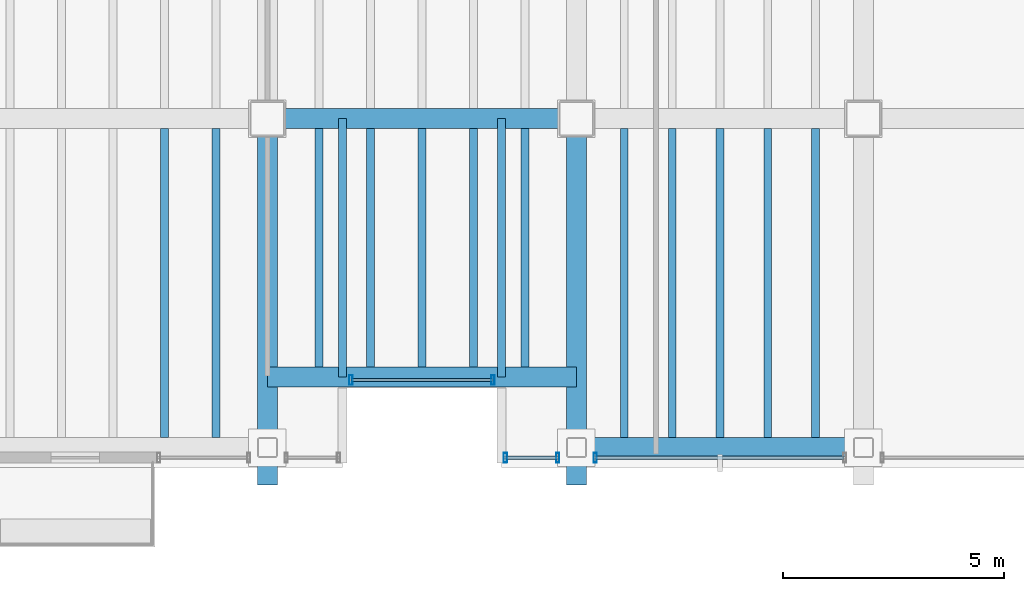
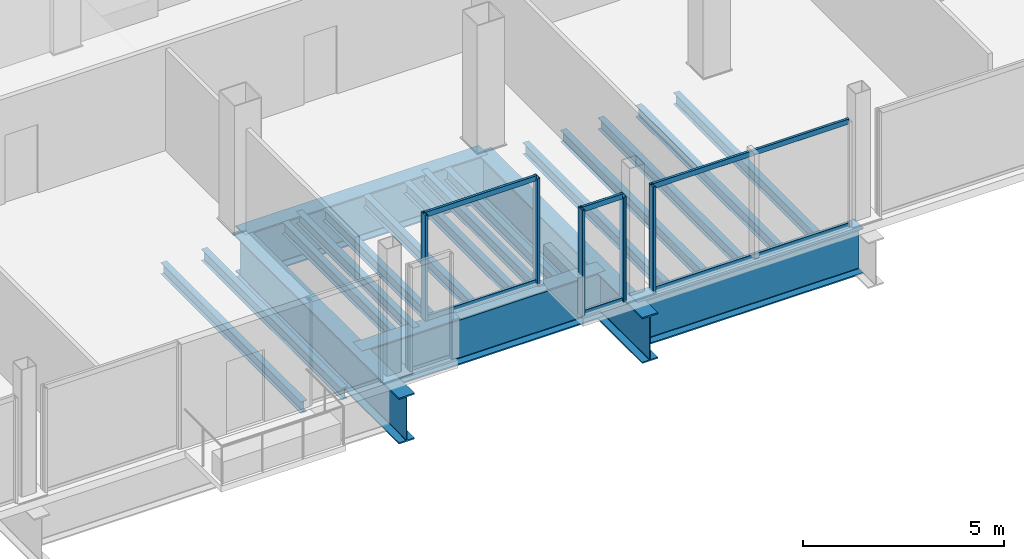
# One storey, part 6 of 22: 19 beams, 11 members, 3 elements without a shape of their own.
"""IFC4 building model written with IfcOpenShell, lengths in metres."""

from ifc_helpers import new_model, si_unit, direction, frame, origin, origin_2d, place, context, subcontext, project, spatial, hollow_rectangle, i_section, extrude, material, material_profile, profile_set, type_object, element, aggregate, save


model = new_model("IFC4")

# Units and contexts
model_context = context("Model", 3, precision=1e-05, world=origin(), true_north=direction((0.0, 1.0)))
body_context = subcontext(model_context, "Body", "Model", "MODEL_VIEW")
ifc_project = project(units=[si_unit("LENGTHUNIT", "METRE"), si_unit("AREAUNIT", "SQUARE_METRE"), si_unit("VOLUMEUNIT", "CUBIC_METRE"), si_unit("PLANEANGLEUNIT", "RADIAN"), si_unit("MASSUNIT", "GRAM", prefix="KILO")], contexts=[model_context])

# Site, building, storey
site_placement = place(None, origin())
site = spatial("IfcSite", under=ifc_project, at=site_placement, CompositionType="ELEMENT")
building_placement = place(site_placement, origin())
building = spatial("IfcBuilding", under=site, at=building_placement, Name="Noeulbin Bourse Tower", CompositionType="ELEMENT")
storey_placement = place(building_placement, frame((0.0, 0.0, 230.60009765625)))
storey = spatial("IfcBuildingStorey", under=building, at=storey_placement, Name="L57", CompositionType="ELEMENT", Elevation=230.60009765625)

# Beams
ifc_material_1 = material(Name="Steel S355", Category="steel")
ifc_material_profile_1 = material_profile(ifc_material_1, i_section(OverallWidth=0.175048828125, OverallDepth=0.35009765625, WebThickness=0.007080078125, FlangeThickness=0.010986328125, FilletRadius=0.013916015625, at=origin_2d()), Name="H-350x175x7x11", Category="LoadBearing")
ifc_profile_set_1 = profile_set([ifc_material_profile_1], Name="Steel S355")
beam_type_1 = type_object("IfcBeamType", Name="BM-JST-350", PredefinedType="JOIST", material=ifc_profile_set_1)
for number, where, z_axis, x_axis, name in (
    (1, (25.699951171875, 14.14990234375, -0.4150390625), (0.0, 1.0, 0.0), (-1.0, 0.0, 0.0), "BM-L57-SRT-W"),
    (2, (29.300048828125, 14.14990234375, -0.4150390625), (0.0, 1.0, 0.0), (-1.0, 0.0, 0.0), "BM-L57-SRT-E"),
):
    element("IfcBeam", number, at=place(storey_placement, frame(where, z_axis=z_axis, x_axis=x_axis)), inside=storey, type_object=beam_type_1, Name=name, PredefinedType="JOIST", context=body_context, shape_type="SweptSolid", body=[
        extrude(i_section(OverallWidth=0.175048828125, OverallDepth=0.35009765625, WebThickness=0.007080078125, FlangeThickness=0.010986328125, FilletRadius=0.013916015625, at=origin_2d()), origin(), (0.0, 0.0, 1.0), 5.85009765625),
    ])
for number, where, z_axis, x_axis, name in (
    (3, (21.666748046875, 12.77490234375, -0.4150390625), (0.0, 1.0, 0.0), (-1.0, 0.0, 0.0), "Tower Composite Joist L57-13"),
    (4, (22.833251953125, 12.77490234375, -0.4150390625), (0.0, 1.0, 0.0), (-1.0, 0.0, 0.0), "Tower Composite Joist L57-15"),
):
    element("IfcBeam", number, at=place(storey_placement, frame(where, z_axis=z_axis, x_axis=x_axis)), inside=storey, type_object=beam_type_1, Name=name, PredefinedType="JOIST", context=body_context, shape_type="SweptSolid", body=[
        extrude(i_section(OverallWidth=0.175048828125, OverallDepth=0.35009765625, WebThickness=0.007080078125, FlangeThickness=0.010986328125, FilletRadius=0.013916015625, at=origin_2d()), origin(), (0.0, 0.0, 1.0), 7.0),
    ])
for number, where, z_axis, x_axis, name in (
    (5, (25.166748046875, 14.375, -0.4150390625), (0.0, 1.0, 0.0), (-1.0, 0.0, 0.0), "Tower Composite Joist L57-17"),
    (6, (26.333251953125, 14.375, -0.4150390625), (0.0, 1.0, 0.0), (-1.0, 0.0, 0.0), "Tower Composite Joist L57-19"),
    (7, (27.5, 14.375, -0.4150390625), (0.0, 1.0, 0.0), (-1.0, 0.0, 0.0), "Tower Composite Joist L57-21"),
    (8, (28.666748046875, 14.375, -0.4150390625), (0.0, 1.0, 0.0), (-1.0, 0.0, 0.0), "Tower Composite Joist L57-23"),
    (9, (29.833251953125, 14.375, -0.4150390625), (0.0, 1.0, 0.0), (-1.0, 0.0, 0.0), "Tower Composite Joist L57-25"),
):
    element("IfcBeam", number, at=place(storey_placement, frame(where, z_axis=z_axis, x_axis=x_axis)), inside=storey, type_object=beam_type_1, Name=name, PredefinedType="JOIST", context=body_context, shape_type="SweptSolid", body=[
        extrude(i_section(OverallWidth=0.175048828125, OverallDepth=0.35009765625, WebThickness=0.007080078125, FlangeThickness=0.010986328125, FilletRadius=0.013916015625, at=origin_2d()), origin(), (0.0, 0.0, 1.0), 5.39990234375),
    ])
for number, where, z_axis, x_axis, name in (
    (10, (32.083251953125, 12.77490234375, -0.4150390625), (0.0, 1.0, 0.0), (-1.0, 0.0, 0.0), "Tower Composite Joist L57-27"),
    (11, (33.166748046875, 12.77490234375, -0.4150390625), (0.0, 1.0, 0.0), (-1.0, 0.0, 0.0), "Tower Composite Joist L57-29"),
    (12, (34.25, 12.77490234375, -0.4150390625), (0.0, 1.0, 0.0), (-1.0, 0.0, 0.0), "Tower Composite Joist L57-31"),
    (13, (35.333251953125, 12.77490234375, -0.4150390625), (0.0, 1.0, 0.0), (-1.0, 0.0, 0.0), "Tower Composite Joist L57-33"),
    (14, (36.416748046875, 12.77490234375, -0.4150390625), (0.0, 1.0, 0.0), (-1.0, 0.0, 0.0), "Tower Composite Joist L57-35"),
):
    element("IfcBeam", number, at=place(storey_placement, frame(where, z_axis=z_axis, x_axis=x_axis)), inside=storey, type_object=beam_type_1, Name=name, PredefinedType="JOIST", context=body_context, shape_type="SweptSolid", body=[
        extrude(i_section(OverallWidth=0.175048828125, OverallDepth=0.35009765625, WebThickness=0.007080078125, FlangeThickness=0.010986328125, FilletRadius=0.013916015625, at=origin_2d()), origin(), (0.0, 0.0, 1.0), 7.0),
    ])
ifc_material_2 = material(Name="Steel S460", Category="steel")
ifc_material_profile_2 = material_profile(ifc_material_2, i_section(OverallWidth=0.449951171875, OverallDepth=1.39990234375, WebThickness=0.02392578125, FlangeThickness=0.0400390625, FilletRadius=0.02392578125, at=origin_2d()), Name="PG-1400x450x24x40", Category="LoadBearing")
ifc_profile_set_2 = profile_set([ifc_material_profile_2], Name="Steel S460")
beam_type_2 = type_object("IfcBeamType", Name="BM-TRF-1400", PredefinedType="USERDEFINED", material=ifc_profile_set_2)
beam_1_placement = place(storey_placement, frame((24.0, 20.0, -0.940185546875), z_axis=(1.0, 0.0, 0.0), x_axis=(0.0, 1.0, 0.0)))
element("IfcBeam", 15, at=beam_1_placement, inside=storey, type_object=beam_type_2, Name="Tower Primary Girder EW L57-1.5", ObjectType="GIRDER", PredefinedType="USERDEFINED", context=body_context, shape_type="SweptSolid", body=[
    extrude(i_section(OverallWidth=0.449951171875, OverallDepth=1.39990234375, WebThickness=0.02392578125, FlangeThickness=0.0400390625, FilletRadius=0.02392578125, at=origin_2d()), origin(), (0.0, 0.0, 1.0), 7.0),
])
for number, where, z_axis, x_axis, name in (
    (16, (24.0, 11.699951171875, -0.940185546875), (0.0, 1.0, 0.0), (-1.0, 0.0, 0.0), "Tower Primary Girder NS L57-2.1"),
    (17, (31.0, 11.699951171875, -0.940185546875), (0.0, 1.0, 0.0), (-1.0, 0.0, 0.0), "Tower Primary Girder NS L57-3.1"),
):
    element("IfcBeam", number, at=place(storey_placement, frame(where, z_axis=z_axis, x_axis=x_axis)), inside=storey, type_object=beam_type_2, Name=name, ObjectType="GIRDER", PredefinedType="USERDEFINED", context=body_context, shape_type="SweptSolid", body=[
        extrude(i_section(OverallWidth=0.449951171875, OverallDepth=1.39990234375, WebThickness=0.02392578125, FlangeThickness=0.0400390625, FilletRadius=0.02392578125, at=origin_2d()), origin(), (0.0, 0.0, 1.0), 8.300048828125),
    ])
beam_2_placement = place(storey_placement, frame((24.0, 14.14990234375, -0.940185546875), z_axis=(1.0, 0.0, 0.0), x_axis=(0.0, 1.0, 0.0)))
element("IfcBeam", 18, at=beam_2_placement, inside=storey, type_object=beam_type_2, Name="South Recess Spandrel L57-2B", ObjectType="GIRDER", PredefinedType="USERDEFINED", context=body_context, shape_type="SweptSolid", body=[
    extrude(i_section(OverallWidth=0.449951171875, OverallDepth=1.39990234375, WebThickness=0.02392578125, FlangeThickness=0.0400390625, FilletRadius=0.02392578125, at=origin_2d()), origin(), (0.0, 0.0, 1.0), 7.0),
])
beam_3_placement = place(storey_placement, frame((31.0, 12.550048828125, -0.940185546875), z_axis=(1.0, 0.0, 0.0), x_axis=(0.0, 1.0, 0.0)))
element("IfcBeam", 19, at=beam_3_placement, inside=storey, type_object=beam_type_2, Name="South Spandrel L57-3", ObjectType="GIRDER", PredefinedType="USERDEFINED", context=body_context, shape_type="SweptSolid", body=[
    extrude(i_section(OverallWidth=0.449951171875, OverallDepth=1.39990234375, WebThickness=0.02392578125, FlangeThickness=0.0400390625, FilletRadius=0.02392578125, at=origin_2d()), origin(), (0.0, 0.0, 1.0), 6.5),
])

# Curtain wall, members
ifc_material_3 = material(Name="High-Selectivity Low-Iron Glazing", Category="glass")
curtain_wall_type = type_object("IfcCurtainWallType", Name="CW-SYS-4", PredefinedType="NOTDEFINED", material=ifc_material_3)
curtain_wall_1_placement = place(storey_placement, origin())
curtain_wall_1 = element("IfcCurtainWall", 20, at=curtain_wall_1_placement, inside=storey, type_object=curtain_wall_type, Name="Unitised Curtain Wall CW-L57-SREC", PredefinedType="NOTDEFINED")
ifc_material_4 = material(Name="Anodised Aluminium 6063-T6", Category="aluminium")
ifc_material_profile_3 = material_profile(ifc_material_4, hollow_rectangle(XDim=0.074951171875, YDim=0.219970703125, WallThickness=0.0048828125, InnerFilletRadius=0.00244140625, OuterFilletRadius=0.0048828125, at=origin_2d()), Name="ALU-MULL-75x220x5", Category="LoadBearing")
ifc_profile_set_3 = profile_set([ifc_material_profile_3], Name="Anodised Aluminium 6063-T6")
member_type_1 = type_object("IfcMemberType", Name="CW-SYS-4-MUL", PredefinedType="MULLION", material=ifc_profile_set_3)
member_1_placement = place(storey_placement, frame((25.889892578125, 14.080078125, -0.02001953125), z_axis=(0.0, 0.0, 1.0), x_axis=(1.0, 0.0, 0.0)))
member_1 = element("IfcMember", 21, at=member_1_placement, type_object=member_type_1, Name="Curtain Wall Mullion CW-L57-SREC-M00", PredefinedType="MULLION", context=body_context, shape_type="SweptSolid", body=[
    extrude(hollow_rectangle(XDim=0.074951171875, YDim=0.219970703125, WallThickness=0.0048828125, InnerFilletRadius=0.00244140625, OuterFilletRadius=0.0048828125, at=origin_2d()), origin(), (0.0, 0.0, 1.0), 3.219970703125),
])
member_2_placement = place(storey_placement, frame((29.110107421875, 14.080078125, -0.02001953125), z_axis=(0.0, 0.0, 1.0), x_axis=(1.0, 0.0, 0.0)))
member_2 = element("IfcMember", 22, at=member_2_placement, type_object=member_type_1, Name="Curtain Wall Mullion CW-L57-SREC-M01", PredefinedType="MULLION", context=body_context, shape_type="SweptSolid", body=[
    extrude(hollow_rectangle(XDim=0.074951171875, YDim=0.219970703125, WallThickness=0.0048828125, InnerFilletRadius=0.00244140625, OuterFilletRadius=0.0048828125, at=origin_2d()), origin(), (0.0, 0.0, 1.0), 3.219970703125),
])

curtain_wall_2_placement = place(storey_placement, origin())
curtain_wall_2 = element("IfcCurtainWall", 23, at=curtain_wall_2_placement, inside=storey, type_object=curtain_wall_type, Name="Unitised Curtain Wall CW-L57-S3-S1", PredefinedType="NOTDEFINED")
member_3_placement = place(storey_placement, frame((29.389892578125, 12.320068359375, -0.02001953125), z_axis=(0.0, 0.0, 1.0), x_axis=(1.0, 0.0, 0.0)))
member_3 = element("IfcMember", 24, at=member_3_placement, type_object=member_type_1, Name="Curtain Wall Mullion CW-L57-S3-S1-M00", PredefinedType="MULLION", context=body_context, shape_type="SweptSolid", body=[
    extrude(hollow_rectangle(XDim=0.074951171875, YDim=0.219970703125, WallThickness=0.0048828125, InnerFilletRadius=0.00244140625, OuterFilletRadius=0.0048828125, at=origin_2d()), origin(), (0.0, 0.0, 1.0), 3.219970703125),
])
member_4_placement = place(storey_placement, frame((30.574951171875, 12.320068359375, -0.02001953125), z_axis=(0.0, 0.0, 1.0), x_axis=(1.0, 0.0, 0.0)))
member_4 = element("IfcMember", 25, at=member_4_placement, type_object=member_type_1, Name="Curtain Wall Mullion CW-L57-S3-S1-M01", PredefinedType="MULLION", context=body_context, shape_type="SweptSolid", body=[
    extrude(hollow_rectangle(XDim=0.074951171875, YDim=0.219970703125, WallThickness=0.0048828125, InnerFilletRadius=0.00244140625, OuterFilletRadius=0.0048828125, at=origin_2d()), origin(), (0.0, 0.0, 1.0), 3.219970703125),
])

# Curtain wall, member
curtain_wall_3_placement = place(storey_placement, origin())
curtain_wall_3 = element("IfcCurtainWall", 26, at=curtain_wall_3_placement, inside=storey, type_object=curtain_wall_type, Name="Unitised Curtain Wall CW-L57-S3-S2", PredefinedType="NOTDEFINED")
member_5_placement = place(storey_placement, frame((31.425048828125, 12.320068359375, -0.02001953125), z_axis=(0.0, 0.0, 1.0), x_axis=(1.0, 0.0, 0.0)))
member_5 = element("IfcMember", 27, at=member_5_placement, type_object=member_type_1, Name="Curtain Wall Mullion CW-L57-S3-S2-M00", PredefinedType="MULLION", context=body_context, shape_type="SweptSolid", body=[
    extrude(hollow_rectangle(XDim=0.074951171875, YDim=0.219970703125, WallThickness=0.0048828125, InnerFilletRadius=0.00244140625, OuterFilletRadius=0.0048828125, at=origin_2d()), origin(), (0.0, 0.0, 1.0), 3.219970703125),
])

# Member
ifc_material_profile_4 = material_profile(ifc_material_4, hollow_rectangle(XDim=0.074951171875, YDim=0.159912109375, WallThickness=0.0048828125, InnerFilletRadius=0.00244140625, OuterFilletRadius=0.0048828125, at=origin_2d()), Name="ALU-TRAN-75x160x5", Category="LoadBearing")
ifc_profile_set_4 = profile_set([ifc_material_profile_4], Name="Anodised Aluminium 6063-T6")
member_type_2 = type_object("IfcMemberType", Name="CW-SYS-4-TRN", PredefinedType="USERDEFINED", material=ifc_profile_set_4)
member_6_placement = place(storey_placement, frame((25.89990234375, 14.080078125, 0.010009765625), z_axis=(1.0, 0.0, 0.0), x_axis=(0.0, 1.0, 0.0)))
member_6 = element("IfcMember", 28, at=member_6_placement, type_object=member_type_2, Name="Curtain Wall Transom CW-L57-SREC-T00", ObjectType="TRANSOM", PredefinedType="USERDEFINED", context=body_context, shape_type="SweptSolid", body=[
    extrude(hollow_rectangle(XDim=0.074951171875, YDim=0.159912109375, WallThickness=0.0048828125, InnerFilletRadius=0.00244140625, OuterFilletRadius=0.0048828125, at=origin_2d()), origin(), (0.0, 0.0, 1.0), 3.2001953125),
])

member_7_placement = place(storey_placement, frame((25.89990234375, 14.080078125, 3.169921875), z_axis=(1.0, 0.0, 0.0), x_axis=(0.0, 1.0, 0.0)))
member_7 = element("IfcMember", 29, at=member_7_placement, type_object=member_type_2, Name="Curtain Wall Transom CW-L57-SREC-T01", ObjectType="TRANSOM", PredefinedType="USERDEFINED", context=body_context, shape_type="SweptSolid", body=[
    extrude(hollow_rectangle(XDim=0.074951171875, YDim=0.159912109375, WallThickness=0.0048828125, InnerFilletRadius=0.00244140625, OuterFilletRadius=0.0048828125, at=origin_2d()), origin(), (0.0, 0.0, 1.0), 3.2001953125),
])

aggregate(curtain_wall_1, [member_1, member_2, member_6, member_7])

member_8_placement = place(storey_placement, frame((29.39990234375, 12.320068359375, 0.010009765625), z_axis=(1.0, 0.0, 0.0), x_axis=(0.0, 1.0, 0.0)))
member_8 = element("IfcMember", 30, at=member_8_placement, type_object=member_type_2, Name="Curtain Wall Transom CW-L57-S3-S1-T00", ObjectType="TRANSOM", PredefinedType="USERDEFINED", context=body_context, shape_type="SweptSolid", body=[
    extrude(hollow_rectangle(XDim=0.074951171875, YDim=0.159912109375, WallThickness=0.0048828125, InnerFilletRadius=0.00244140625, OuterFilletRadius=0.0048828125, at=origin_2d()), origin(), (0.0, 0.0, 1.0), 1.1650390625),
])

member_9_placement = place(storey_placement, frame((29.39990234375, 12.320068359375, 3.169921875), z_axis=(1.0, 0.0, 0.0), x_axis=(0.0, 1.0, 0.0)))
member_9 = element("IfcMember", 31, at=member_9_placement, type_object=member_type_2, Name="Curtain Wall Transom CW-L57-S3-S1-T01", ObjectType="TRANSOM", PredefinedType="USERDEFINED", context=body_context, shape_type="SweptSolid", body=[
    extrude(hollow_rectangle(XDim=0.074951171875, YDim=0.159912109375, WallThickness=0.0048828125, InnerFilletRadius=0.00244140625, OuterFilletRadius=0.0048828125, at=origin_2d()), origin(), (0.0, 0.0, 1.0), 1.1650390625),
])

aggregate(curtain_wall_2, [member_3, member_4, member_8, member_9])

member_10_placement = place(storey_placement, frame((31.43505859375, 12.320068359375, 0.010009765625), z_axis=(1.0, 0.0, 0.0), x_axis=(0.0, 1.0, 0.0)))
member_10 = element("IfcMember", 32, at=member_10_placement, type_object=member_type_2, Name="Curtain Wall Transom CW-L57-S3-S2-T00", ObjectType="TRANSOM", PredefinedType="USERDEFINED", context=body_context, shape_type="SweptSolid", body=[
    extrude(hollow_rectangle(XDim=0.074951171875, YDim=0.159912109375, WallThickness=0.0048828125, InnerFilletRadius=0.00244140625, OuterFilletRadius=0.0048828125, at=origin_2d()), origin(), (0.0, 0.0, 1.0), 5.6298828125),
])

member_11_placement = place(storey_placement, frame((31.43505859375, 12.320068359375, 3.169921875), z_axis=(1.0, 0.0, 0.0), x_axis=(0.0, 1.0, 0.0)))
member_11 = element("IfcMember", 33, at=member_11_placement, type_object=member_type_2, Name="Curtain Wall Transom CW-L57-S3-S2-T01", ObjectType="TRANSOM", PredefinedType="USERDEFINED", context=body_context, shape_type="SweptSolid", body=[
    extrude(hollow_rectangle(XDim=0.074951171875, YDim=0.159912109375, WallThickness=0.0048828125, InnerFilletRadius=0.00244140625, OuterFilletRadius=0.0048828125, at=origin_2d()), origin(), (0.0, 0.0, 1.0), 5.6298828125),
])

aggregate(curtain_wall_3, [member_5, member_10, member_11])

save(model, "model.ifc")
